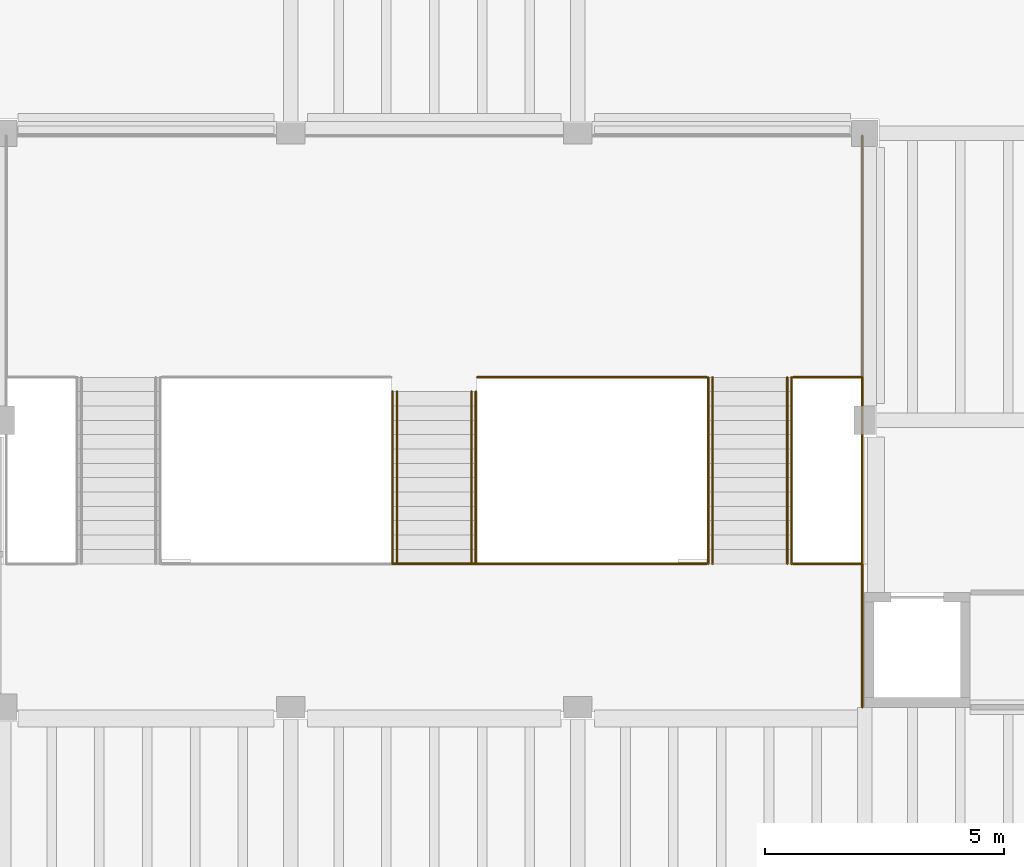
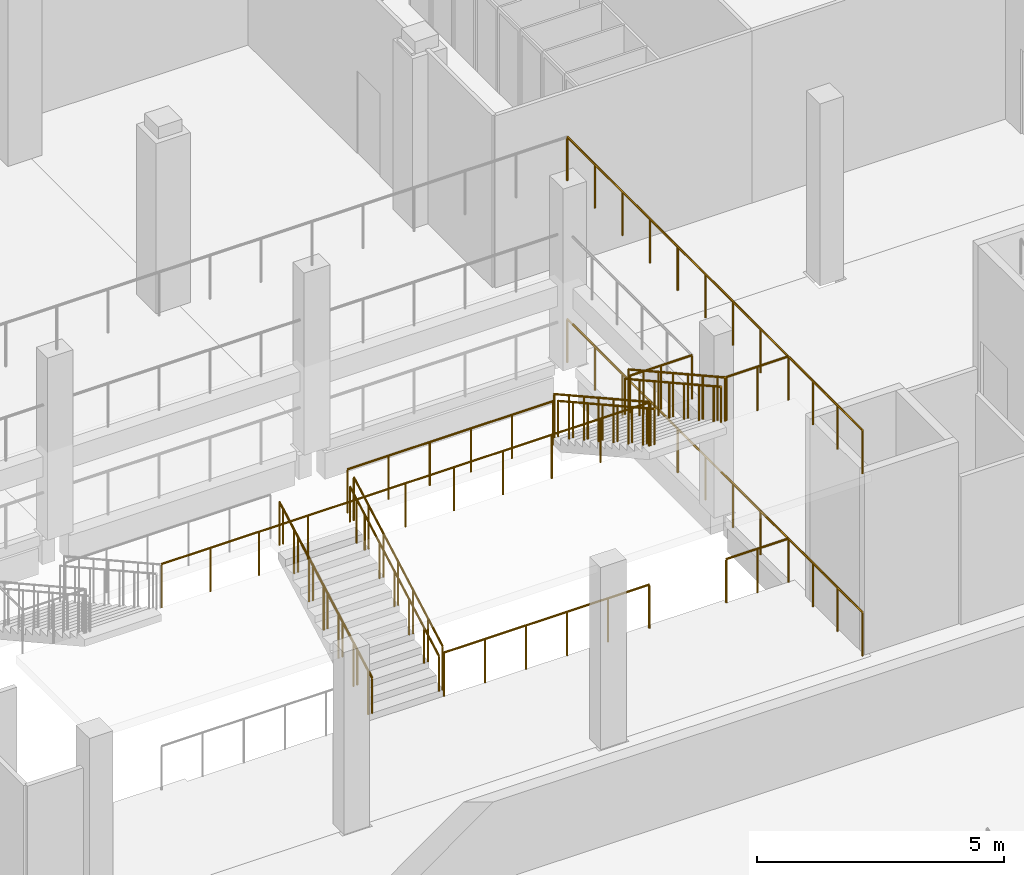
# One storey, part 67 of 70: 18 railings.
"""IFC4 building model written with IfcOpenShell, lengths in metres."""

import ifcopenshell
import ifcopenshell.guid

model = None  # the IFC model being written
_history = None  # IfcOwnerHistory: only IFC2X3 demands one
_inside = {}  # id of a spatial element -> (the spatial element, [elements in it])
_under = {}  # id of a project, library or spatial element -> (it, [spatial elements below it])
_declared = {}  # id of a project -> (the project, [libraries it declares])
_typed = {}  # id of a type object -> (the type object, [elements of that type])
_made_of = {}  # id of a material, layer set ... -> (it, [elements and type objects made of it])


def new_model(schema):
    """Start an empty IFC model of exactly this schema.

    Asked for "IFC4X3", IfcOpenShell would pick the latest addendum, in which some entities
    have other attributes; the version numbers below select the first issue.
    IFC2X3 requires an IfcOwnerHistory on every rooted entity: one is made here for all.
    """
    global model, _history
    if schema == "IFC4X3":
        model = ifcopenshell.file(schema_version=(4, 3, 0, 0))
    else:
        model = ifcopenshell.file(schema=schema)
    _inside.clear()
    _under.clear()
    _declared.clear()
    _typed.clear()
    _made_of.clear()
    _history = None
    if model.schema == "IFC2X3":
        org = make("IfcOrganization", Name="unknown")
        user = make(
            "IfcPersonAndOrganization",
            ThePerson=make("IfcPerson", FamilyName="unknown"),
            TheOrganization=org,
        )
        app = make(
            "IfcApplication",
            ApplicationDeveloper=org,
            Version="unknown",
            ApplicationFullName="unknown",
            ApplicationIdentifier="unknown",
        )
        _history = make(
            "IfcOwnerHistory",
            OwningUser=user,
            OwningApplication=app,
            ChangeAction="ADDED",
            CreationDate=0,
        )
    return model


def make(cls, **values):
    """One entity of the class cls with the attributes given. An attribute that is None is left unset."""
    return model.create_entity(
        cls, **{name: value for name, value in values.items() if value is not None}
    )


def rooted(cls, **values):
    """An entity with a GlobalId (a new one), such as an element, a storey or a relation."""
    return make(cls, GlobalId=ifcopenshell.guid.new(), OwnerHistory=_history, **values)


def si_unit(unit_type, name, prefix=None):
    """IfcSIUnit, for example si_unit("LENGTHUNIT", "METRE", prefix="MILLI")."""
    return make("IfcSIUnit", UnitType=unit_type, Prefix=prefix, Name=name)


def assignment(units):
    """IfcUnitAssignment: the units of a project."""
    return None if units is None else make("IfcUnitAssignment", Units=units)


def point(xyz):
    """IfcCartesianPoint."""
    return None if xyz is None else make("IfcCartesianPoint", Coordinates=xyz)


def direction(xyz):
    """IfcDirection."""
    return None if xyz is None else make("IfcDirection", DirectionRatios=xyz)


def frame(location, z_axis=None, x_axis=None):
    """IfcAxis2Placement3D, a coordinate frame: its origin and axes. An axis left out is left unset."""
    return make(
        "IfcAxis2Placement3D",
        Location=point(location),
        Axis=direction(z_axis),
        RefDirection=direction(x_axis),
    )


def frame_2d(location, x_axis=None):
    """IfcAxis2Placement2D, a coordinate frame in the plane: its origin and x axis."""
    return make(
        "IfcAxis2Placement2D", Location=point(location), RefDirection=direction(x_axis)
    )


def origin():
    """The frame at (0, 0, 0) with its axes left unset."""
    return frame((0.0, 0.0, 0.0))


def origin_2d():
    """The frame at (0, 0) in the plane with its x axis left unset."""
    return frame_2d((0.0, 0.0))


def place(relative_to, where):
    """IfcLocalPlacement: puts the frame where relative to a parent placement (None: the world)."""
    return make(
        "IfcLocalPlacement", PlacementRelTo=relative_to, RelativePlacement=where
    )


def context(
    kind, dimensions, precision=None, world=None, true_north=None, identifier=None
):
    """IfcGeometricRepresentationContext, for example the 3D "Model" context."""
    return make(
        "IfcGeometricRepresentationContext",
        ContextIdentifier=identifier,
        ContextType=kind,
        CoordinateSpaceDimension=dimensions,
        Precision=precision,
        WorldCoordinateSystem=world,
        TrueNorth=true_north,
    )


def subcontext(parent, identifier, kind, view, scale=None):
    """IfcGeometricRepresentationSubContext, for example "Body" below "Model"."""
    return make(
        "IfcGeometricRepresentationSubContext",
        ContextIdentifier=identifier,
        ContextType=kind,
        ParentContext=parent,
        TargetScale=scale,
        TargetView=view,
    )


def project(units=None, contexts=None):
    """IfcProject with its units and contexts."""
    return rooted(
        "IfcProject",
        Name="project",
        RepresentationContexts=contexts,
        UnitsInContext=assignment(units),
    )


def spatial(cls, under=None, at=None, **own):
    """A site, building, storey or space (cls), placed at a placement, below another one or the project."""
    s = rooted(cls, ObjectPlacement=at, **own)
    if under is not None:
        _under.setdefault(under.id(), (under, []))[1].append(s)
    return s


def profile(cls, at=None, kind="AREA", **sizes):
    """A parametric profile (cls). Its sizes go by their IFC names, for example OverallWidth=200.0."""
    return make(cls, ProfileType=kind, Position=at, **sizes)


def circle(**sizes):
    """IfcCircleProfileDef."""
    return profile("IfcCircleProfileDef", **sizes)


def extrude(swept, where, along, depth):
    """IfcExtrudedAreaSolid: the profile swept, set in the frame where, extruded along a direction by depth."""
    return make(
        "IfcExtrudedAreaSolid",
        SweptArea=swept,
        Position=where,
        ExtrudedDirection=direction(along),
        Depth=depth,
    )


def shape(context_of_items, identifier, shape_type, items):
    """IfcShapeRepresentation: the items that make up one representation, for example the "Body"."""
    return make(
        "IfcShapeRepresentation",
        ContextOfItems=context_of_items,
        RepresentationIdentifier=identifier,
        RepresentationType=shape_type,
        Items=items,
    )


def material(Name=None, Category=None):
    """IfcMaterial."""
    return make("IfcMaterial", Name=Name, Category=Category)


def made_of(thing, what):
    """Note that an element or type object is made of a material, layer set ...; save() writes the relation."""
    if what is not None:
        _made_of.setdefault(what.id(), (what, []))[1].append(thing)
    return thing


def type_object(cls, material=None, **own):
    """A type object (cls), such as IfcWallType, which elements share."""
    return made_of(rooted(cls, **own), material)


def element(
    cls,
    number,
    at=None,
    inside=None,
    cuts=None,
    type_object=None,
    material=None,
    context=None,
    identifier="Body",
    shape_type=None,
    held_by="IfcProductDefinitionShape",
    body=None,
    shapes=None,
    **own,
):
    """One element of the class cls, such as IfcWall. Its Tag is "e" and its number.

    at: its placement. inside: the storey or other place that contains it. cuts: it is an
    opening in that element (IfcRelVoidsElement). A single representation is given by context,
    identifier, shape_type and body (its items); several are given by shapes. held_by: the class
    of the entity that holds the representations. save() writes the other relations.
    """
    e = rooted(cls, Tag="e%d" % number, ObjectPlacement=at, **own)
    if body is not None:
        shapes = [shape(context, identifier, shape_type, body)]
    if shapes is not None:
        e.Representation = make(held_by, Representations=shapes)
    if inside is not None:
        _inside.setdefault(inside.id(), (inside, []))[1].append(e)
    if cuts is not None:
        rooted(
            "IfcRelVoidsElement", RelatingBuildingElement=cuts, RelatedOpeningElement=e
        )
    if type_object is not None:
        _typed.setdefault(type_object.id(), (type_object, []))[1].append(e)
    return made_of(e, material)


def aggregate(whole, parts):
    """IfcRelAggregates: a whole, such as a stair, and the parts it consists of."""
    return rooted("IfcRelAggregates", RelatingObject=whole, RelatedObjects=parts)


def save(model, path):
    """Write the relations noted so far, then the file.

    IfcRelAggregates (storeys below a building ...), IfcRelContainedInSpatialStructure (elements
    in a storey), IfcRelDefinesByType, IfcRelAssociatesMaterial and IfcRelDeclares: one each for
    every whole, place, type object, material and project.
    """
    for whole, parts in _under.values():
        aggregate(whole, parts)
    for where, things in _inside.values():
        rooted(
            "IfcRelContainedInSpatialStructure",
            RelatedElements=things,
            RelatingStructure=where,
        )
    for kind, things in _typed.values():
        rooted("IfcRelDefinesByType", RelatedObjects=things, RelatingType=kind)
    for what, things in _made_of.values():
        rooted("IfcRelAssociatesMaterial", RelatedObjects=things, RelatingMaterial=what)
    for by, libraries in _declared.values():
        rooted("IfcRelDeclares", RelatingContext=by, RelatedDefinitions=libraries)
    model.write(path)


model = new_model("IFC4")

# Units and contexts
model_context = context("Model", 3, precision=1e-05, world=origin(), true_north=direction((0.0, 1.0)))
body_context = subcontext(model_context, "Body", "Model", "MODEL_VIEW")
ifc_project = project(units=[si_unit("LENGTHUNIT", "METRE"), si_unit("AREAUNIT", "SQUARE_METRE"), si_unit("VOLUMEUNIT", "CUBIC_METRE"), si_unit("PLANEANGLEUNIT", "RADIAN"), si_unit("MASSUNIT", "GRAM", prefix="KILO")], contexts=[model_context])

# Site, building, storey
site_placement = place(None, origin())
site = spatial("IfcSite", under=ifc_project, at=site_placement, CompositionType="ELEMENT")
building_placement = place(site_placement, origin())
building = spatial("IfcBuilding", under=site, at=building_placement, Name="Saffron Lane Theatres", CompositionType="ELEMENT")
storey_placement = place(building_placement, frame((0.0, 0.0, 12.0)))
storey = spatial("IfcBuildingStorey", under=building, at=storey_placement, Name="L02", CompositionType="ELEMENT", Elevation=12.0)

# Railings
ifc_material_1 = material(Name="Steel Grade 350", Category="steel")
railing_type_1 = type_object("IfcRailingType", Name="VC-GUARD 1100", PredefinedType="GUARDRAIL", material=ifc_material_1)
railing_1_placement = place(storey_placement, frame((32.1298828125, 99.0, 0.166748046875)))
element("IfcRailing", 1, at=railing_1_placement, inside=storey, type_object=railing_type_1, Name="Grand Stair flight guard 3.1a", PredefinedType="GUARDRAIL", context=body_context, shape_type="SweptSolid", body=[
    extrude(circle(Radius=0.02392578125, at=origin_2d()), frame((0.0, 0.0, 1.076171875), z_axis=(0.0, 0.874241147926, 0.485491931212), x_axis=(-1.0, 0.0, 0.0)), (0.0, 0.0, 1.0), 0.6865234375),
    extrude(circle(Radius=0.02392578125, at=origin_2d()), frame((0.0, 0.60009765625, 1.4091796875), z_axis=(0.0, 0.874157276122, 0.485642931179), x_axis=(-1.0, 0.0, 0.0)), (0.0, 0.0, 1.0), 0.686279296875),
    extrude(circle(Radius=0.02392578125, at=origin_2d()), frame((0.0, 1.199951171875, 1.74267578125), z_axis=(0.0, 0.874090171491, 0.485763699861), x_axis=(-1.0, 0.0, 0.0)), (0.0, 0.0, 1.0), 0.6865234375),
    extrude(circle(Radius=0.02392578125, at=origin_2d()), frame((0.0, 1.800048828125, 2.076171875), z_axis=(0.0, 0.874157276122, 0.485642931179), x_axis=(-1.0, 0.0, 0.0)), (0.0, 0.0, 1.0), 0.686279296875),
    extrude(circle(Radius=0.02392578125, at=origin_2d()), frame((0.0, 2.39990234375, 2.4091796875), z_axis=(0.0, 0.874241147926, 0.485491931212), x_axis=(-1.0, 0.0, 0.0)), (0.0, 0.0, 1.0), 0.6865234375),
    extrude(circle(Radius=0.02392578125, at=origin_2d()), frame((0.0, 3.0, 2.74267578125), z_axis=(0.0, 0.874090171491, 0.485763699861), x_axis=(-1.0, 0.0, 0.0)), (0.0, 0.0, 1.0), 0.6865234375),
    extrude(circle(Radius=0.02099609375, at=origin_2d()), origin(), (0.0, 0.0, 1.0), 1.052001953125),
    extrude(circle(Radius=0.02099609375, at=origin_2d()), frame((0.0, 0.60009765625, 0.333251953125)), (0.0, 0.0, 1.0), 1.052001953125),
    extrude(circle(Radius=0.02099609375, at=origin_2d()), frame((0.0, 1.199951171875, 0.66650390625)), (0.0, 0.0, 1.0), 1.052001953125),
    extrude(circle(Radius=0.02099609375, at=origin_2d()), frame((0.0, 1.800048828125, 1.0)), (0.0, 0.0, 1.0), 1.052001953125),
    extrude(circle(Radius=0.02099609375, at=origin_2d()), frame((0.0, 2.39990234375, 1.333251953125)), (0.0, 0.0, 1.0), 1.052001953125),
    extrude(circle(Radius=0.02099609375, at=origin_2d()), frame((0.0, 3.0, 1.66650390625)), (0.0, 0.0, 1.0), 1.052001953125),
    extrude(circle(Radius=0.02099609375, at=origin_2d()), frame((0.0, 3.60009765625, 2.0)), (0.0, 0.0, 1.0), 1.052001953125),
])
railing_2_placement = place(storey_placement, frame((33.8701171875, 99.0, 0.166748046875)))
element("IfcRailing", 2, at=railing_2_placement, inside=storey, type_object=railing_type_1, Name="Grand Stair flight guard 3.1b", PredefinedType="GUARDRAIL", context=body_context, shape_type="SweptSolid", body=[
    extrude(circle(Radius=0.02392578125, at=origin_2d()), frame((0.0, 0.0, 1.076171875), z_axis=(0.0, 0.874241147926, 0.485491931212), x_axis=(-1.0, 0.0, 0.0)), (0.0, 0.0, 1.0), 0.6865234375),
    extrude(circle(Radius=0.02392578125, at=origin_2d()), frame((0.0, 0.60009765625, 1.4091796875), z_axis=(0.0, 0.874157276122, 0.485642931179), x_axis=(-1.0, 0.0, 0.0)), (0.0, 0.0, 1.0), 0.686279296875),
    extrude(circle(Radius=0.02392578125, at=origin_2d()), frame((0.0, 1.199951171875, 1.74267578125), z_axis=(0.0, 0.874090171491, 0.485763699861), x_axis=(-1.0, 0.0, 0.0)), (0.0, 0.0, 1.0), 0.6865234375),
    extrude(circle(Radius=0.02392578125, at=origin_2d()), frame((0.0, 1.800048828125, 2.076171875), z_axis=(0.0, 0.874157276122, 0.485642931179), x_axis=(-1.0, 0.0, 0.0)), (0.0, 0.0, 1.0), 0.686279296875),
    extrude(circle(Radius=0.02392578125, at=origin_2d()), frame((0.0, 2.39990234375, 2.4091796875), z_axis=(0.0, 0.874241147926, 0.485491931212), x_axis=(-1.0, 0.0, 0.0)), (0.0, 0.0, 1.0), 0.6865234375),
    extrude(circle(Radius=0.02392578125, at=origin_2d()), frame((0.0, 3.0, 2.74267578125), z_axis=(0.0, 0.874090171491, 0.485763699861), x_axis=(-1.0, 0.0, 0.0)), (0.0, 0.0, 1.0), 0.6865234375),
    extrude(circle(Radius=0.02099609375, at=origin_2d()), origin(), (0.0, 0.0, 1.0), 1.052001953125),
    extrude(circle(Radius=0.02099609375, at=origin_2d()), frame((0.0, 0.60009765625, 0.333251953125)), (0.0, 0.0, 1.0), 1.052001953125),
    extrude(circle(Radius=0.02099609375, at=origin_2d()), frame((0.0, 1.199951171875, 0.66650390625)), (0.0, 0.0, 1.0), 1.052001953125),
    extrude(circle(Radius=0.02099609375, at=origin_2d()), frame((0.0, 1.800048828125, 1.0)), (0.0, 0.0, 1.0), 1.052001953125),
    extrude(circle(Radius=0.02099609375, at=origin_2d()), frame((0.0, 2.39990234375, 1.333251953125)), (0.0, 0.0, 1.0), 1.052001953125),
    extrude(circle(Radius=0.02099609375, at=origin_2d()), frame((0.0, 3.0, 1.66650390625)), (0.0, 0.0, 1.0), 1.052001953125),
    extrude(circle(Radius=0.02099609375, at=origin_2d()), frame((0.0, 3.60009765625, 2.0)), (0.0, 0.0, 1.0), 1.052001953125),
])
railing_3_placement = place(storey_placement, frame((38.72998046875, 102.89990234375, 2.333251953125)))
element("IfcRailing", 3, at=railing_3_placement, inside=storey, type_object=railing_type_1, Name="Grand Stair flight guard 3.3a", PredefinedType="GUARDRAIL", context=body_context, shape_type="SweptSolid", body=[
    extrude(circle(Radius=0.02392578125, at=origin_2d()), frame((0.0, 0.0, 1.076171875), z_axis=(0.0, -0.874006220275, 0.485914732151), x_axis=(1.0, 0.0, 0.0)), (0.0, 0.0, 1.0), 0.686279296875),
    extrude(circle(Radius=0.02392578125, at=origin_2d()), frame((0.0, -0.599853515625, 1.40966796875), z_axis=(0.0, -0.874241147926, 0.485491931212), x_axis=(1.0, 0.0, 0.0)), (0.0, 0.0, 1.0), 0.6865234375),
    extrude(circle(Radius=0.02392578125, at=origin_2d()), frame((0.0, -1.199951171875, 1.74267578125), z_axis=(0.0, -0.874157276122, 0.485642931179), x_axis=(1.0, 0.0, 0.0)), (0.0, 0.0, 1.0), 0.686279296875),
    extrude(circle(Radius=0.02392578125, at=origin_2d()), frame((0.0, -1.7998046875, 2.076171875), z_axis=(0.0, -0.874090171491, 0.485763699861), x_axis=(1.0, 0.0, 0.0)), (0.0, 0.0, 1.0), 0.6865234375),
    extrude(circle(Radius=0.02392578125, at=origin_2d()), frame((0.0, -2.39990234375, 2.40966796875), z_axis=(0.0, -0.874241147926, 0.485491931212), x_axis=(1.0, 0.0, 0.0)), (0.0, 0.0, 1.0), 0.6865234375),
    extrude(circle(Radius=0.02392578125, at=origin_2d()), frame((0.0, -3.0, 2.74267578125), z_axis=(0.0, -0.874157276122, 0.485642931179), x_axis=(1.0, 0.0, 0.0)), (0.0, 0.0, 1.0), 0.686279296875),
    extrude(circle(Radius=0.02392578125, at=origin_2d()), frame((0.0, -3.599853515625, 3.076171875), z_axis=(0.0, -0.874090171491, 0.485763699861), x_axis=(1.0, 0.0, 0.0)), (0.0, 0.0, 1.0), 0.34326171875),
    extrude(circle(Radius=0.02099609375, at=origin_2d()), origin(), (0.0, 0.0, 1.0), 1.052001953125),
    extrude(circle(Radius=0.02099609375, at=origin_2d()), frame((0.0, -0.599853515625, 0.33349609375)), (0.0, 0.0, 1.0), 1.052001953125),
    extrude(circle(Radius=0.02099609375, at=origin_2d()), frame((0.0, -1.199951171875, 0.666748046875)), (0.0, 0.0, 1.0), 1.052001953125),
    extrude(circle(Radius=0.02099609375, at=origin_2d()), frame((0.0, -1.7998046875, 1.0)), (0.0, 0.0, 1.0), 1.052001953125),
    extrude(circle(Radius=0.02099609375, at=origin_2d()), frame((0.0, -2.39990234375, 1.33349609375)), (0.0, 0.0, 1.0), 1.052001953125),
    extrude(circle(Radius=0.02099609375, at=origin_2d()), frame((0.0, -3.0, 1.666748046875)), (0.0, 0.0, 1.0), 1.052001953125),
    extrude(circle(Radius=0.02099609375, at=origin_2d()), frame((0.0, -3.599853515625, 2.0)), (0.0, 0.0, 1.0), 1.052001953125),
    extrude(circle(Radius=0.02099609375, at=origin_2d()), frame((0.0, -3.89990234375, 2.166748046875)), (0.0, 0.0, 1.0), 1.052001953125),
])
railing_4_placement = place(storey_placement, frame((40.469970703125, 102.89990234375, 2.333251953125)))
element("IfcRailing", 4, at=railing_4_placement, inside=storey, type_object=railing_type_1, Name="Grand Stair flight guard 3.3b", PredefinedType="GUARDRAIL", context=body_context, shape_type="SweptSolid", body=[
    extrude(circle(Radius=0.02392578125, at=origin_2d()), frame((0.0, 0.0, 1.076171875), z_axis=(0.0, -0.874006220275, 0.485914732151), x_axis=(1.0, 0.0, 0.0)), (0.0, 0.0, 1.0), 0.686279296875),
    extrude(circle(Radius=0.02392578125, at=origin_2d()), frame((0.0, -0.599853515625, 1.40966796875), z_axis=(0.0, -0.874241147926, 0.485491931212), x_axis=(1.0, 0.0, 0.0)), (0.0, 0.0, 1.0), 0.6865234375),
    extrude(circle(Radius=0.02392578125, at=origin_2d()), frame((0.0, -1.199951171875, 1.74267578125), z_axis=(0.0, -0.874157276122, 0.485642931179), x_axis=(1.0, 0.0, 0.0)), (0.0, 0.0, 1.0), 0.686279296875),
    extrude(circle(Radius=0.02392578125, at=origin_2d()), frame((0.0, -1.7998046875, 2.076171875), z_axis=(0.0, -0.874090171491, 0.485763699861), x_axis=(1.0, 0.0, 0.0)), (0.0, 0.0, 1.0), 0.6865234375),
    extrude(circle(Radius=0.02392578125, at=origin_2d()), frame((0.0, -2.39990234375, 2.40966796875), z_axis=(0.0, -0.874241147926, 0.485491931212), x_axis=(1.0, 0.0, 0.0)), (0.0, 0.0, 1.0), 0.6865234375),
    extrude(circle(Radius=0.02392578125, at=origin_2d()), frame((0.0, -3.0, 2.74267578125), z_axis=(0.0, -0.874157276122, 0.485642931179), x_axis=(1.0, 0.0, 0.0)), (0.0, 0.0, 1.0), 0.686279296875),
    extrude(circle(Radius=0.02392578125, at=origin_2d()), frame((0.0, -3.599853515625, 3.076171875), z_axis=(0.0, -0.874090171491, 0.485763699861), x_axis=(1.0, 0.0, 0.0)), (0.0, 0.0, 1.0), 0.34326171875),
    extrude(circle(Radius=0.02099609375, at=origin_2d()), origin(), (0.0, 0.0, 1.0), 1.052001953125),
    extrude(circle(Radius=0.02099609375, at=origin_2d()), frame((0.0, -0.599853515625, 0.33349609375)), (0.0, 0.0, 1.0), 1.052001953125),
    extrude(circle(Radius=0.02099609375, at=origin_2d()), frame((0.0, -1.199951171875, 0.666748046875)), (0.0, 0.0, 1.0), 1.052001953125),
    extrude(circle(Radius=0.02099609375, at=origin_2d()), frame((0.0, -1.7998046875, 1.0)), (0.0, 0.0, 1.0), 1.052001953125),
    extrude(circle(Radius=0.02099609375, at=origin_2d()), frame((0.0, -2.39990234375, 1.33349609375)), (0.0, 0.0, 1.0), 1.052001953125),
    extrude(circle(Radius=0.02099609375, at=origin_2d()), frame((0.0, -3.0, 1.666748046875)), (0.0, 0.0, 1.0), 1.052001953125),
    extrude(circle(Radius=0.02099609375, at=origin_2d()), frame((0.0, -3.599853515625, 2.0)), (0.0, 0.0, 1.0), 1.052001953125),
    extrude(circle(Radius=0.02099609375, at=origin_2d()), frame((0.0, -3.89990234375, 2.166748046875)), (0.0, 0.0, 1.0), 1.052001953125),
])
railing_5_placement = place(storey_placement, frame((33.89990234375, 102.89990234375, 2.166748046875)))
element("IfcRailing", 5, at=railing_5_placement, inside=storey, type_object=railing_type_1, Name="Grand Stair landing guard 3m-gap3", PredefinedType="GUARDRAIL", context=body_context, shape_type="SweptSolid", body=[
    extrude(circle(Radius=0.02392578125, at=origin_2d()), frame((0.0, 0.0, 1.076171875), z_axis=(1.0, 0.0, 0.0), x_axis=(0.0, 1.0, 0.0)), (0.0, 0.0, 1.0), 4.800048828125),
    extrude(circle(Radius=0.02099609375, at=origin_2d()), origin(), (0.0, 0.0, 1.0), 1.052001953125),
    extrude(circle(Radius=0.02099609375, at=origin_2d()), frame((0.9599609375, 0.0, 0.0)), (0.0, 0.0, 1.0), 1.052001953125),
    extrude(circle(Radius=0.02099609375, at=origin_2d()), frame((1.919921875, 0.0, 0.0)), (0.0, 0.0, 1.0), 1.052001953125),
    extrude(circle(Radius=0.02099609375, at=origin_2d()), frame((2.880126953125, 0.0, 0.0)), (0.0, 0.0, 1.0), 1.052001953125),
    extrude(circle(Radius=0.02099609375, at=origin_2d()), frame((3.840087890625, 0.0, 0.0)), (0.0, 0.0, 1.0), 1.052001953125),
    extrude(circle(Radius=0.02099609375, at=origin_2d()), frame((4.800048828125, 0.0, 0.0)), (0.0, 0.0, 1.0), 1.052001953125),
])
railing_6_placement = place(storey_placement, frame((40.5, 102.89990234375, 2.166748046875)))
element("IfcRailing", 6, at=railing_6_placement, inside=storey, type_object=railing_type_1, Name="Grand Stair landing guard 3m-gap4", PredefinedType="GUARDRAIL", context=body_context, shape_type="SweptSolid", body=[
    extrude(circle(Radius=0.02392578125, at=origin_2d()), frame((0.0, 0.0, 1.076171875), z_axis=(1.0, 0.0, 0.0), x_axis=(0.0, 1.0, 0.0)), (0.0, 0.0, 1.0), 1.449951171875),
    extrude(circle(Radius=0.02099609375, at=origin_2d()), origin(), (0.0, 0.0, 1.0), 1.052001953125),
    extrude(circle(Radius=0.02099609375, at=origin_2d()), frame((0.72509765625, 0.0, 0.0)), (0.0, 0.0, 1.0), 1.052001953125),
    extrude(circle(Radius=0.02099609375, at=origin_2d()), frame((1.449951171875, 0.0, 0.0)), (0.0, 0.0, 1.0), 1.052001953125),
])
railing_7_placement = place(storey_placement, frame((33.89990234375, 99.0, 0.0)))
element("IfcRailing", 7, at=railing_7_placement, inside=storey, type_object=railing_type_1, Name="Grand Stair landing guard 3s-L02-3", PredefinedType="GUARDRAIL", context=body_context, shape_type="SweptSolid", body=[
    extrude(circle(Radius=0.02392578125, at=origin_2d()), frame((0.0, 0.0, 1.076171875), z_axis=(1.0, 0.0, 0.0), x_axis=(0.0, 1.0, 0.0)), (0.0, 0.0, 1.0), 4.800048828125),
    extrude(circle(Radius=0.02099609375, at=origin_2d()), origin(), (0.0, 0.0, 1.0), 1.052001953125),
    extrude(circle(Radius=0.02099609375, at=origin_2d()), frame((0.9599609375, 0.0, 0.0)), (0.0, 0.0, 1.0), 1.052001953125),
    extrude(circle(Radius=0.02099609375, at=origin_2d()), frame((1.919921875, 0.0, 0.0)), (0.0, 0.0, 1.0), 1.052001953125),
    extrude(circle(Radius=0.02099609375, at=origin_2d()), frame((2.880126953125, 0.0, 0.0)), (0.0, 0.0, 1.0), 1.052001953125),
    extrude(circle(Radius=0.02099609375, at=origin_2d()), frame((3.840087890625, 0.0, 0.0)), (0.0, 0.0, 1.0), 1.052001953125),
    extrude(circle(Radius=0.02099609375, at=origin_2d()), frame((4.800048828125, 0.0, 0.0)), (0.0, 0.0, 1.0), 1.052001953125),
])
railing_8_placement = place(storey_placement, frame((40.5, 99.0, 0.0)))
element("IfcRailing", 8, at=railing_8_placement, inside=storey, type_object=railing_type_1, Name="Grand Stair landing guard 3s-L02-4", PredefinedType="GUARDRAIL", context=body_context, shape_type="SweptSolid", body=[
    extrude(circle(Radius=0.02392578125, at=origin_2d()), frame((0.0, 0.0, 1.076171875), z_axis=(1.0, 0.0, 0.0), x_axis=(0.0, 1.0, 0.0)), (0.0, 0.0, 1.0), 1.449951171875),
    extrude(circle(Radius=0.02099609375, at=origin_2d()), origin(), (0.0, 0.0, 1.0), 1.052001953125),
    extrude(circle(Radius=0.02099609375, at=origin_2d()), frame((0.72509765625, 0.0, 0.0)), (0.0, 0.0, 1.0), 1.052001953125),
    extrude(circle(Radius=0.02099609375, at=origin_2d()), frame((1.449951171875, 0.0, 0.0)), (0.0, 0.0, 1.0), 1.052001953125),
])
railing_9_placement = place(storey_placement, frame((41.949951171875, 96.0, 0.0)))
element("IfcRailing", 9, at=railing_9_placement, inside=storey, type_object=railing_type_1, Name="Grand Stair landing guard 3l-e-L02", PredefinedType="GUARDRAIL", context=body_context, shape_type="SweptSolid", body=[
    extrude(circle(Radius=0.02392578125, at=origin_2d()), frame((0.0, 0.0, 1.076171875), z_axis=(0.0, 1.0, 0.0), x_axis=(-1.0, 0.0, 0.0)), (0.0, 0.0, 1.0), 3.0),
    extrude(circle(Radius=0.02099609375, at=origin_2d()), origin(), (0.0, 0.0, 1.0), 1.052001953125),
    extrude(circle(Radius=0.02099609375, at=origin_2d()), frame((0.0, 1.0, 0.0)), (0.0, 0.0, 1.0), 1.052001953125),
    extrude(circle(Radius=0.02099609375, at=origin_2d()), frame((0.0, 2.0, 0.0)), (0.0, 0.0, 1.0), 1.052001953125),
    extrude(circle(Radius=0.02099609375, at=origin_2d()), frame((0.0, 3.0, 0.0)), (0.0, 0.0, 1.0), 1.052001953125),
])
railing_10_placement = place(storey_placement, frame((41.949951171875, 99.0, 0.0)))
element("IfcRailing", 10, at=railing_10_placement, inside=storey, type_object=railing_type_1, Name="Grand Stair landing guard 3v-e-L02", PredefinedType="GUARDRAIL", context=body_context, shape_type="SweptSolid", body=[
    extrude(circle(Radius=0.02392578125, at=origin_2d()), frame((0.0, 0.0, 1.076171875), z_axis=(0.0, 1.0, 0.0), x_axis=(-1.0, 0.0, 0.0)), (0.0, 0.0, 1.0), 8.949951171875),
    extrude(circle(Radius=0.02099609375, at=origin_2d()), origin(), (0.0, 0.0, 1.0), 1.052001953125),
    extrude(circle(Radius=0.02099609375, at=origin_2d()), frame((0.0, 1.11865234375, 0.0)), (0.0, 0.0, 1.0), 1.052001953125),
    extrude(circle(Radius=0.02099609375, at=origin_2d()), frame((0.0, 2.237548828125, 0.0)), (0.0, 0.0, 1.0), 1.052001953125),
    extrude(circle(Radius=0.02099609375, at=origin_2d()), frame((0.0, 3.356201171875, 0.0)), (0.0, 0.0, 1.0), 1.052001953125),
    extrude(circle(Radius=0.02099609375, at=origin_2d()), frame((0.0, 4.47509765625, 0.0)), (0.0, 0.0, 1.0), 1.052001953125),
    extrude(circle(Radius=0.02099609375, at=origin_2d()), frame((0.0, 5.59375, 0.0)), (0.0, 0.0, 1.0), 1.052001953125),
    extrude(circle(Radius=0.02099609375, at=origin_2d()), frame((0.0, 6.71240234375, 0.0)), (0.0, 0.0, 1.0), 1.052001953125),
    extrude(circle(Radius=0.02099609375, at=origin_2d()), frame((0.0, 7.831298828125, 0.0)), (0.0, 0.0, 1.0), 1.052001953125),
    extrude(circle(Radius=0.02099609375, at=origin_2d()), frame((0.0, 8.949951171875, 0.0)), (0.0, 0.0, 1.0), 1.052001953125),
])
railing_11_placement = place(storey_placement, frame((27.300048828125, 99.0, 4.5)))
element("IfcRailing", 11, at=railing_11_placement, inside=storey, type_object=railing_type_1, Name="Grand Stair landing guard 3s-L03-2", PredefinedType="GUARDRAIL", context=body_context, shape_type="SweptSolid", body=[
    extrude(circle(Radius=0.02392578125, at=origin_2d()), frame((0.0, 0.0, 1.076171875), z_axis=(1.0, 0.0, 0.0), x_axis=(0.0, 1.0, 0.0)), (0.0, 0.0, 1.0), 11.39990234375),
    extrude(circle(Radius=0.02099609375, at=origin_2d()), origin(), (0.0, 0.0, 1.0), 1.052001953125),
    extrude(circle(Radius=0.02099609375, at=origin_2d()), frame((1.139892578125, 0.0, 0.0)), (0.0, 0.0, 1.0), 1.052001953125),
    extrude(circle(Radius=0.02099609375, at=origin_2d()), frame((2.280029296875, 0.0, 0.0)), (0.0, 0.0, 1.0), 1.052001953125),
    extrude(circle(Radius=0.02099609375, at=origin_2d()), frame((3.419921875, 0.0, 0.0)), (0.0, 0.0, 1.0), 1.052001953125),
    extrude(circle(Radius=0.02099609375, at=origin_2d()), frame((4.56005859375, 0.0, 0.0)), (0.0, 0.0, 1.0), 1.052001953125),
    extrude(circle(Radius=0.02099609375, at=origin_2d()), frame((5.699951171875, 0.0, 0.0)), (0.0, 0.0, 1.0), 1.052001953125),
    extrude(circle(Radius=0.02099609375, at=origin_2d()), frame((6.83984375, 0.0, 0.0)), (0.0, 0.0, 1.0), 1.052001953125),
    extrude(circle(Radius=0.02099609375, at=origin_2d()), frame((7.97998046875, 0.0, 0.0)), (0.0, 0.0, 1.0), 1.052001953125),
    extrude(circle(Radius=0.02099609375, at=origin_2d()), frame((9.119873046875, 0.0, 0.0)), (0.0, 0.0, 1.0), 1.052001953125),
    extrude(circle(Radius=0.02099609375, at=origin_2d()), frame((10.260009765625, 0.0, 0.0)), (0.0, 0.0, 1.0), 1.052001953125),
    extrude(circle(Radius=0.02099609375, at=origin_2d()), frame((11.39990234375, 0.0, 0.0)), (0.0, 0.0, 1.0), 1.052001953125),
])
railing_12_placement = place(storey_placement, frame((40.5, 99.0, 4.5)))
element("IfcRailing", 12, at=railing_12_placement, inside=storey, type_object=railing_type_1, Name="Grand Stair landing guard 3s-L03-3", PredefinedType="GUARDRAIL", context=body_context, shape_type="SweptSolid", body=[
    extrude(circle(Radius=0.02392578125, at=origin_2d()), frame((0.0, 0.0, 1.076171875), z_axis=(1.0, 0.0, 0.0), x_axis=(0.0, 1.0, 0.0)), (0.0, 0.0, 1.0), 1.449951171875),
    extrude(circle(Radius=0.02099609375, at=origin_2d()), origin(), (0.0, 0.0, 1.0), 1.052001953125),
    extrude(circle(Radius=0.02099609375, at=origin_2d()), frame((0.72509765625, 0.0, 0.0)), (0.0, 0.0, 1.0), 1.052001953125),
    extrude(circle(Radius=0.02099609375, at=origin_2d()), frame((1.449951171875, 0.0, 0.0)), (0.0, 0.0, 1.0), 1.052001953125),
])
railing_13_placement = place(storey_placement, frame((41.949951171875, 96.0, 4.5)))
element("IfcRailing", 13, at=railing_13_placement, inside=storey, type_object=railing_type_1, Name="Grand Stair landing guard 3l-e-L03", PredefinedType="GUARDRAIL", context=body_context, shape_type="SweptSolid", body=[
    extrude(circle(Radius=0.02392578125, at=origin_2d()), frame((0.0, 0.0, 1.076171875), z_axis=(0.0, 1.0, 0.0), x_axis=(-1.0, 0.0, 0.0)), (0.0, 0.0, 1.0), 3.0),
    extrude(circle(Radius=0.02099609375, at=origin_2d()), origin(), (0.0, 0.0, 1.0), 1.052001953125),
    extrude(circle(Radius=0.02099609375, at=origin_2d()), frame((0.0, 1.0, 0.0)), (0.0, 0.0, 1.0), 1.052001953125),
    extrude(circle(Radius=0.02099609375, at=origin_2d()), frame((0.0, 2.0, 0.0)), (0.0, 0.0, 1.0), 1.052001953125),
    extrude(circle(Radius=0.02099609375, at=origin_2d()), frame((0.0, 3.0, 0.0)), (0.0, 0.0, 1.0), 1.052001953125),
])
railing_14_placement = place(storey_placement, frame((41.949951171875, 99.0, 4.5)))
element("IfcRailing", 14, at=railing_14_placement, inside=storey, type_object=railing_type_1, Name="Grand Stair landing guard 3v-e-L03", PredefinedType="GUARDRAIL", context=body_context, shape_type="SweptSolid", body=[
    extrude(circle(Radius=0.02392578125, at=origin_2d()), frame((0.0, 0.0, 1.076171875), z_axis=(0.0, 1.0, 0.0), x_axis=(-1.0, 0.0, 0.0)), (0.0, 0.0, 1.0), 8.949951171875),
    extrude(circle(Radius=0.02099609375, at=origin_2d()), origin(), (0.0, 0.0, 1.0), 1.052001953125),
    extrude(circle(Radius=0.02099609375, at=origin_2d()), frame((0.0, 1.11865234375, 0.0)), (0.0, 0.0, 1.0), 1.052001953125),
    extrude(circle(Radius=0.02099609375, at=origin_2d()), frame((0.0, 2.237548828125, 0.0)), (0.0, 0.0, 1.0), 1.052001953125),
    extrude(circle(Radius=0.02099609375, at=origin_2d()), frame((0.0, 3.356201171875, 0.0)), (0.0, 0.0, 1.0), 1.052001953125),
    extrude(circle(Radius=0.02099609375, at=origin_2d()), frame((0.0, 4.47509765625, 0.0)), (0.0, 0.0, 1.0), 1.052001953125),
    extrude(circle(Radius=0.02099609375, at=origin_2d()), frame((0.0, 5.59375, 0.0)), (0.0, 0.0, 1.0), 1.052001953125),
    extrude(circle(Radius=0.02099609375, at=origin_2d()), frame((0.0, 6.71240234375, 0.0)), (0.0, 0.0, 1.0), 1.052001953125),
    extrude(circle(Radius=0.02099609375, at=origin_2d()), frame((0.0, 7.831298828125, 0.0)), (0.0, 0.0, 1.0), 1.052001953125),
    extrude(circle(Radius=0.02099609375, at=origin_2d()), frame((0.0, 8.949951171875, 0.0)), (0.0, 0.0, 1.0), 1.052001953125),
])
ifc_material_2 = material(Name="Steel Grade 350", Category="steel")
railing_type_2 = type_object("IfcRailingType", Name="VC-HANDRAIL 900", PredefinedType="HANDRAIL", material=ifc_material_2)
railing_15_placement = place(storey_placement, frame((32.219970703125, 99.0, 0.166748046875)))
element("IfcRailing", 15, at=railing_15_placement, inside=storey, type_object=railing_type_2, Name="Grand Stair handrail 3.1a", PredefinedType="HANDRAIL", context=body_context, shape_type="SweptSolid", body=[
    extrude(circle(Radius=0.02392578125, at=origin_2d()), frame((0.0, 0.0, 0.8759765625), z_axis=(0.0, 0.874241147926, 0.485491931212), x_axis=(-1.0, 0.0, 0.0)), (0.0, 0.0, 1.0), 0.6865234375),
    extrude(circle(Radius=0.02392578125, at=origin_2d()), frame((0.0, 0.60009765625, 1.208984375), z_axis=(0.0, 0.874157276122, 0.485642931179), x_axis=(-1.0, 0.0, 0.0)), (0.0, 0.0, 1.0), 0.686279296875),
    extrude(circle(Radius=0.02392578125, at=origin_2d()), frame((0.0, 1.199951171875, 1.54248046875), z_axis=(0.0, 0.874090171491, 0.485763699861), x_axis=(-1.0, 0.0, 0.0)), (0.0, 0.0, 1.0), 0.6865234375),
    extrude(circle(Radius=0.02392578125, at=origin_2d()), frame((0.0, 1.800048828125, 1.8759765625), z_axis=(0.0, 0.874157276122, 0.485642931179), x_axis=(-1.0, 0.0, 0.0)), (0.0, 0.0, 1.0), 0.686279296875),
    extrude(circle(Radius=0.02392578125, at=origin_2d()), frame((0.0, 2.39990234375, 2.208984375), z_axis=(0.0, 0.874241147926, 0.485491931212), x_axis=(-1.0, 0.0, 0.0)), (0.0, 0.0, 1.0), 0.6865234375),
    extrude(circle(Radius=0.02392578125, at=origin_2d()), frame((0.0, 3.0, 2.54248046875), z_axis=(0.0, 0.874090171491, 0.485763699861), x_axis=(-1.0, 0.0, 0.0)), (0.0, 0.0, 1.0), 0.6865234375),
    extrude(circle(Radius=0.02099609375, at=origin_2d()), origin(), (0.0, 0.0, 1.0), 0.851806640625),
    extrude(circle(Radius=0.02099609375, at=origin_2d()), frame((0.0, 0.60009765625, 0.333251953125)), (0.0, 0.0, 1.0), 0.851806640625),
    extrude(circle(Radius=0.02099609375, at=origin_2d()), frame((0.0, 1.199951171875, 0.66650390625)), (0.0, 0.0, 1.0), 0.851806640625),
    extrude(circle(Radius=0.02099609375, at=origin_2d()), frame((0.0, 1.800048828125, 1.0)), (0.0, 0.0, 1.0), 0.851806640625),
    extrude(circle(Radius=0.02099609375, at=origin_2d()), frame((0.0, 2.39990234375, 1.333251953125)), (0.0, 0.0, 1.0), 0.851806640625),
    extrude(circle(Radius=0.02099609375, at=origin_2d()), frame((0.0, 3.0, 1.66650390625)), (0.0, 0.0, 1.0), 0.851806640625),
    extrude(circle(Radius=0.02099609375, at=origin_2d()), frame((0.0, 3.60009765625, 2.0)), (0.0, 0.0, 1.0), 0.851806640625),
])
railing_16_placement = place(storey_placement, frame((33.780029296875, 99.0, 0.166748046875)))
element("IfcRailing", 16, at=railing_16_placement, inside=storey, type_object=railing_type_2, Name="Grand Stair handrail 3.1b", PredefinedType="HANDRAIL", context=body_context, shape_type="SweptSolid", body=[
    extrude(circle(Radius=0.02392578125, at=origin_2d()), frame((0.0, 0.0, 0.8759765625), z_axis=(0.0, 0.874241147926, 0.485491931212), x_axis=(-1.0, 0.0, 0.0)), (0.0, 0.0, 1.0), 0.6865234375),
    extrude(circle(Radius=0.02392578125, at=origin_2d()), frame((0.0, 0.60009765625, 1.208984375), z_axis=(0.0, 0.874157276122, 0.485642931179), x_axis=(-1.0, 0.0, 0.0)), (0.0, 0.0, 1.0), 0.686279296875),
    extrude(circle(Radius=0.02392578125, at=origin_2d()), frame((0.0, 1.199951171875, 1.54248046875), z_axis=(0.0, 0.874090171491, 0.485763699861), x_axis=(-1.0, 0.0, 0.0)), (0.0, 0.0, 1.0), 0.6865234375),
    extrude(circle(Radius=0.02392578125, at=origin_2d()), frame((0.0, 1.800048828125, 1.8759765625), z_axis=(0.0, 0.874157276122, 0.485642931179), x_axis=(-1.0, 0.0, 0.0)), (0.0, 0.0, 1.0), 0.686279296875),
    extrude(circle(Radius=0.02392578125, at=origin_2d()), frame((0.0, 2.39990234375, 2.208984375), z_axis=(0.0, 0.874241147926, 0.485491931212), x_axis=(-1.0, 0.0, 0.0)), (0.0, 0.0, 1.0), 0.6865234375),
    extrude(circle(Radius=0.02392578125, at=origin_2d()), frame((0.0, 3.0, 2.54248046875), z_axis=(0.0, 0.874090171491, 0.485763699861), x_axis=(-1.0, 0.0, 0.0)), (0.0, 0.0, 1.0), 0.6865234375),
    extrude(circle(Radius=0.02099609375, at=origin_2d()), origin(), (0.0, 0.0, 1.0), 0.851806640625),
    extrude(circle(Radius=0.02099609375, at=origin_2d()), frame((0.0, 0.60009765625, 0.333251953125)), (0.0, 0.0, 1.0), 0.851806640625),
    extrude(circle(Radius=0.02099609375, at=origin_2d()), frame((0.0, 1.199951171875, 0.66650390625)), (0.0, 0.0, 1.0), 0.851806640625),
    extrude(circle(Radius=0.02099609375, at=origin_2d()), frame((0.0, 1.800048828125, 1.0)), (0.0, 0.0, 1.0), 0.851806640625),
    extrude(circle(Radius=0.02099609375, at=origin_2d()), frame((0.0, 2.39990234375, 1.333251953125)), (0.0, 0.0, 1.0), 0.851806640625),
    extrude(circle(Radius=0.02099609375, at=origin_2d()), frame((0.0, 3.0, 1.66650390625)), (0.0, 0.0, 1.0), 0.851806640625),
    extrude(circle(Radius=0.02099609375, at=origin_2d()), frame((0.0, 3.60009765625, 2.0)), (0.0, 0.0, 1.0), 0.851806640625),
])
railing_17_placement = place(storey_placement, frame((38.820068359375, 102.89990234375, 2.333251953125)))
element("IfcRailing", 17, at=railing_17_placement, inside=storey, type_object=railing_type_2, Name="Grand Stair handrail 3.3a", PredefinedType="HANDRAIL", context=body_context, shape_type="SweptSolid", body=[
    extrude(circle(Radius=0.02392578125, at=origin_2d()), frame((0.0, 0.0, 0.8759765625), z_axis=(0.0, -0.874006220275, 0.485914732151), x_axis=(1.0, 0.0, 0.0)), (0.0, 0.0, 1.0), 0.686279296875),
    extrude(circle(Radius=0.02392578125, at=origin_2d()), frame((0.0, -0.599853515625, 1.20947265625), z_axis=(0.0, -0.874241147926, 0.485491931212), x_axis=(1.0, 0.0, 0.0)), (0.0, 0.0, 1.0), 0.6865234375),
    extrude(circle(Radius=0.02392578125, at=origin_2d()), frame((0.0, -1.199951171875, 1.54248046875), z_axis=(0.0, -0.874157276122, 0.485642931179), x_axis=(1.0, 0.0, 0.0)), (0.0, 0.0, 1.0), 0.686279296875),
    extrude(circle(Radius=0.02392578125, at=origin_2d()), frame((0.0, -1.7998046875, 1.8759765625), z_axis=(0.0, -0.874090171491, 0.485763699861), x_axis=(1.0, 0.0, 0.0)), (0.0, 0.0, 1.0), 0.6865234375),
    extrude(circle(Radius=0.02392578125, at=origin_2d()), frame((0.0, -2.39990234375, 2.20947265625), z_axis=(0.0, -0.874241147926, 0.485491931212), x_axis=(1.0, 0.0, 0.0)), (0.0, 0.0, 1.0), 0.6865234375),
    extrude(circle(Radius=0.02392578125, at=origin_2d()), frame((0.0, -3.0, 2.54248046875), z_axis=(0.0, -0.874157276122, 0.485642931179), x_axis=(1.0, 0.0, 0.0)), (0.0, 0.0, 1.0), 0.686279296875),
    extrude(circle(Radius=0.02392578125, at=origin_2d()), frame((0.0, -3.599853515625, 2.8759765625), z_axis=(0.0, -0.874090171491, 0.485763699861), x_axis=(1.0, 0.0, 0.0)), (0.0, 0.0, 1.0), 0.34326171875),
    extrude(circle(Radius=0.02099609375, at=origin_2d()), origin(), (0.0, 0.0, 1.0), 0.851806640625),
    extrude(circle(Radius=0.02099609375, at=origin_2d()), frame((0.0, -0.599853515625, 0.33349609375)), (0.0, 0.0, 1.0), 0.851806640625),
    extrude(circle(Radius=0.02099609375, at=origin_2d()), frame((0.0, -1.199951171875, 0.666748046875)), (0.0, 0.0, 1.0), 0.851806640625),
    extrude(circle(Radius=0.02099609375, at=origin_2d()), frame((0.0, -1.7998046875, 1.0)), (0.0, 0.0, 1.0), 0.851806640625),
    extrude(circle(Radius=0.02099609375, at=origin_2d()), frame((0.0, -2.39990234375, 1.33349609375)), (0.0, 0.0, 1.0), 0.851806640625),
    extrude(circle(Radius=0.02099609375, at=origin_2d()), frame((0.0, -3.0, 1.666748046875)), (0.0, 0.0, 1.0), 0.851806640625),
    extrude(circle(Radius=0.02099609375, at=origin_2d()), frame((0.0, -3.599853515625, 2.0)), (0.0, 0.0, 1.0), 0.851806640625),
    extrude(circle(Radius=0.02099609375, at=origin_2d()), frame((0.0, -3.89990234375, 2.166748046875)), (0.0, 0.0, 1.0), 0.851806640625),
])
railing_18_placement = place(storey_placement, frame((40.3798828125, 102.89990234375, 2.333251953125)))
element("IfcRailing", 18, at=railing_18_placement, inside=storey, type_object=railing_type_2, Name="Grand Stair handrail 3.3b", PredefinedType="HANDRAIL", context=body_context, shape_type="SweptSolid", body=[
    extrude(circle(Radius=0.02392578125, at=origin_2d()), frame((0.0, 0.0, 0.8759765625), z_axis=(0.0, -0.874006220275, 0.485914732151), x_axis=(1.0, 0.0, 0.0)), (0.0, 0.0, 1.0), 0.686279296875),
    extrude(circle(Radius=0.02392578125, at=origin_2d()), frame((0.0, -0.599853515625, 1.20947265625), z_axis=(0.0, -0.874241147926, 0.485491931212), x_axis=(1.0, 0.0, 0.0)), (0.0, 0.0, 1.0), 0.6865234375),
    extrude(circle(Radius=0.02392578125, at=origin_2d()), frame((0.0, -1.199951171875, 1.54248046875), z_axis=(0.0, -0.874157276122, 0.485642931179), x_axis=(1.0, 0.0, 0.0)), (0.0, 0.0, 1.0), 0.686279296875),
    extrude(circle(Radius=0.02392578125, at=origin_2d()), frame((0.0, -1.7998046875, 1.8759765625), z_axis=(0.0, -0.874090171491, 0.485763699861), x_axis=(1.0, 0.0, 0.0)), (0.0, 0.0, 1.0), 0.6865234375),
    extrude(circle(Radius=0.02392578125, at=origin_2d()), frame((0.0, -2.39990234375, 2.20947265625), z_axis=(0.0, -0.874241147926, 0.485491931212), x_axis=(1.0, 0.0, 0.0)), (0.0, 0.0, 1.0), 0.6865234375),
    extrude(circle(Radius=0.02392578125, at=origin_2d()), frame((0.0, -3.0, 2.54248046875), z_axis=(0.0, -0.874157276122, 0.485642931179), x_axis=(1.0, 0.0, 0.0)), (0.0, 0.0, 1.0), 0.686279296875),
    extrude(circle(Radius=0.02392578125, at=origin_2d()), frame((0.0, -3.599853515625, 2.8759765625), z_axis=(0.0, -0.874090171491, 0.485763699861), x_axis=(1.0, 0.0, 0.0)), (0.0, 0.0, 1.0), 0.34326171875),
    extrude(circle(Radius=0.02099609375, at=origin_2d()), origin(), (0.0, 0.0, 1.0), 0.851806640625),
    extrude(circle(Radius=0.02099609375, at=origin_2d()), frame((0.0, -0.599853515625, 0.33349609375)), (0.0, 0.0, 1.0), 0.851806640625),
    extrude(circle(Radius=0.02099609375, at=origin_2d()), frame((0.0, -1.199951171875, 0.666748046875)), (0.0, 0.0, 1.0), 0.851806640625),
    extrude(circle(Radius=0.02099609375, at=origin_2d()), frame((0.0, -1.7998046875, 1.0)), (0.0, 0.0, 1.0), 0.851806640625),
    extrude(circle(Radius=0.02099609375, at=origin_2d()), frame((0.0, -2.39990234375, 1.33349609375)), (0.0, 0.0, 1.0), 0.851806640625),
    extrude(circle(Radius=0.02099609375, at=origin_2d()), frame((0.0, -3.0, 1.666748046875)), (0.0, 0.0, 1.0), 0.851806640625),
    extrude(circle(Radius=0.02099609375, at=origin_2d()), frame((0.0, -3.599853515625, 2.0)), (0.0, 0.0, 1.0), 0.851806640625),
    extrude(circle(Radius=0.02099609375, at=origin_2d()), frame((0.0, -3.89990234375, 2.166748046875)), (0.0, 0.0, 1.0), 0.851806640625),
])

save(model, "model.ifc")
